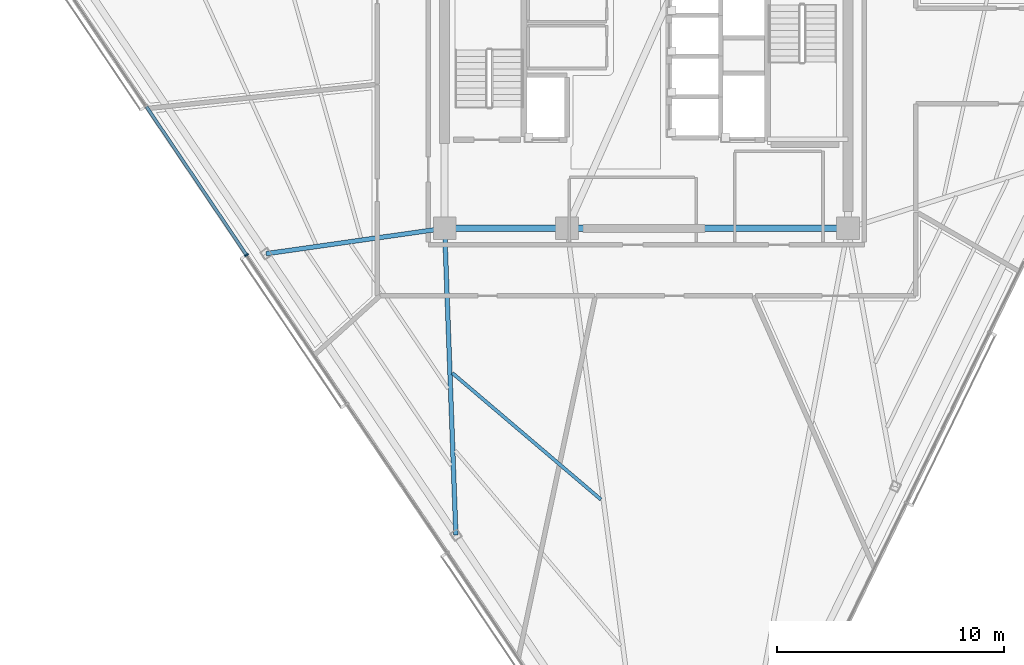
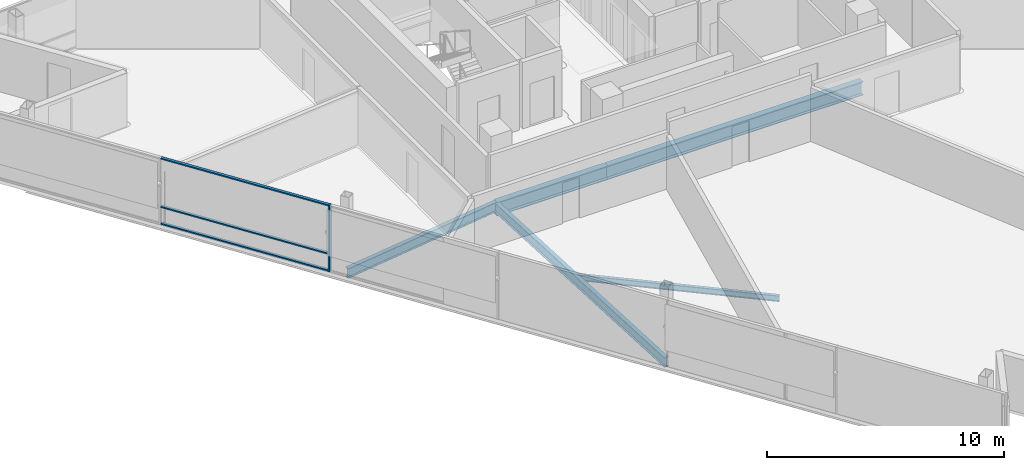
# One storey, part 3 of 16: 5 beams, 4 members, 1 element without a shape of its own.
"""IFC4 building model written with IfcOpenShell, lengths in metres."""

from ifc_helpers import new_model, si_unit, direction, frame, origin, origin_2d, place, context, subcontext, project, spatial, rectangle, i_section, extrude, material, layer, layer_set, material_profile, profile_set, type_object, element, aggregate, save


model = new_model("IFC4")

# Units and contexts
model_context = context("Model", 3, precision=1e-05, world=origin(), true_north=direction((0.0, 1.0)))
body_context = subcontext(model_context, "Body", "Model", "MODEL_VIEW")
ifc_project = project(units=[si_unit("LENGTHUNIT", "METRE"), si_unit("AREAUNIT", "SQUARE_METRE"), si_unit("VOLUMEUNIT", "CUBIC_METRE"), si_unit("PLANEANGLEUNIT", "RADIAN"), si_unit("MASSUNIT", "GRAM", prefix="KILO")], contexts=[model_context])

# Site, building, storey
site_placement = place(None, origin())
site = spatial("IfcSite", under=ifc_project, at=site_placement, CompositionType="ELEMENT")
building_placement = place(site_placement, origin())
building = spatial("IfcBuilding", under=site, at=building_placement, Name="Tharavind Bronze Gate", CompositionType="ELEMENT")
storey_placement = place(building_placement, frame((0.0, 0.0, 260.60009765625)))
storey = spatial("IfcBuildingStorey", under=building, at=storey_placement, Name="L67", CompositionType="ELEMENT", Elevation=260.60009765625)

# Curtain wall, members
ifc_material_1 = material(Name="Anodised Bronze Aluminium", Category="aluminium")
ifc_layer = layer(ifc_material_1, 0.219970703125)
ifc_layer_set = layer_set([ifc_layer], Name="Anodised Bronze Aluminium")
curtain_wall_type = type_object("IfcCurtainWallType", Name="UNITISED CURTAIN WALL UPPER OFFICE", PredefinedType="USERDEFINED", material=ifc_layer_set)
curtain_wall_placement = place(storey_placement, origin())
curtain_wall = element("IfcCurtainWall", 1, at=curtain_wall_placement, inside=storey, type_object=curtain_wall_type, Name="L67 unitised curtain wall upper office CW-L67-S1", ObjectType="UNITISED CURTAIN WALL", PredefinedType="USERDEFINED")
member_type_1 = type_object("IfcMemberType", Name="CURTAIN WALL BRONZE MULLION 65X180", PredefinedType="MULLION", material=ifc_material_1)
member_1_placement = place(storey_placement, frame((-17.639892578125, -8.7802734375, 0.0), z_axis=(0.0, 0.0, 1.0), x_axis=(0.559191456526, -0.82903854853, 0.0)))
member_1 = element("IfcMember", 2, at=member_1_placement, type_object=member_type_1, Name="CW-L67-S1 mullion 3", PredefinedType="MULLION", context=body_context, shape_type="SweptSolid", body=[
    extrude(rectangle(XDim=0.06494140625, YDim=0.179931640625, at=origin_2d()), origin(), (0.0, 0.0, 1.0), 3.419921875),
])
member_type_2 = type_object("IfcMemberType", Name="CURTAIN WALL BRONZE TRANSOM 65X140", PredefinedType="USERDEFINED", material=ifc_material_1)
member_2_placement = place(storey_placement, frame((-19.8544921875, -5.497314453125, 0.0), z_axis=(0.0, 0.0, 1.0), x_axis=(0.559191456526, -0.82903854853, 0.0)))
member_2 = element("IfcMember", 3, at=member_2_placement, type_object=member_type_2, Name="CW-L67-S1 transom TB2", ObjectType="TRANSOM", PredefinedType="USERDEFINED", context=body_context, shape_type="SweptSolid", body=[
    extrude(rectangle(XDim=7.8671875, YDim=0.139892578125, at=origin_2d()), origin(), (0.0, 0.0, 1.0), 0.06494140625),
])
member_3_placement = place(storey_placement, frame((-19.8544921875, -5.497314453125, 0.867431640625), z_axis=(0.0, 0.0, 1.0), x_axis=(0.559191456526, -0.82903854853, 0.0)))
member_3 = element("IfcMember", 4, at=member_3_placement, type_object=member_type_2, Name="CW-L67-S1 transom TS2", ObjectType="TRANSOM", PredefinedType="USERDEFINED", context=body_context, shape_type="SweptSolid", body=[
    extrude(rectangle(XDim=7.8671875, YDim=0.139892578125, at=origin_2d()), origin(), (0.0, 0.0, 1.0), 0.06494140625),
])
member_4_placement = place(storey_placement, frame((-19.8544921875, -5.497314453125, 3.35498046875), z_axis=(0.0, 0.0, 1.0), x_axis=(0.559191456526, -0.82903854853, 0.0)))
member_4 = element("IfcMember", 5, at=member_4_placement, type_object=member_type_2, Name="CW-L67-S1 transom TT2", ObjectType="TRANSOM", PredefinedType="USERDEFINED", context=body_context, shape_type="SweptSolid", body=[
    extrude(rectangle(XDim=7.8671875, YDim=0.139892578125, at=origin_2d()), origin(), (0.0, 0.0, 1.0), 0.06494140625),
])
aggregate(curtain_wall, [member_1, member_2, member_3, member_4])

# Beams
ifc_material_2 = material(Name="Steel S355", Category="steel")
ifc_material_profile_1 = material_profile(ifc_material_2, i_section(OverallWidth=0.199951171875, OverallDepth=0.5, WebThickness=0.01025390625, FlangeThickness=0.01611328125, at=origin_2d()), Name="IPE500")
ifc_profile_set_1 = profile_set([ifc_material_profile_1], Name="Steel S355")
beam_type_1 = type_object("IfcBeamType", Name="PRIMARY GIRDER IPE500", PredefinedType="USERDEFINED", material=ifc_profile_set_1)
beam_1_placement = place(storey_placement, frame((-16.776123046875, -8.719970703125, -0.43017578125), z_axis=(0.99004257138, 0.14076827361, 0.0), x_axis=(-0.14076827361, 0.99004257138, 0.0)))
element("IfcBeam", 6, at=beam_1_placement, inside=storey, type_object=beam_type_1, Name="L67 primary girder ipe500 BM-L67-RAD02", ObjectType="GIRDER", PredefinedType="USERDEFINED", context=body_context, shape_type="SweptSolid", body=[
    extrude(i_section(OverallWidth=0.199951171875, OverallDepth=0.5, WebThickness=0.01025390625, FlangeThickness=0.01611328125, at=origin_2d()), origin(), (0.0, 0.0, 1.0), 7.955322265625),
])
beam_2_placement = place(storey_placement, frame((-8.40234375, -21.134521484375, -0.43017578125), z_axis=(-0.036737634404, 0.99932494526, 0.0), x_axis=(-0.99932494526, -0.036737634404, 0.0)))
element("IfcBeam", 7, at=beam_2_placement, inside=storey, type_object=beam_type_1, Name="L67 primary girder ipe500 BM-L67-RAD03", ObjectType="GIRDER", PredefinedType="USERDEFINED", context=body_context, shape_type="SweptSolid", body=[
    extrude(i_section(OverallWidth=0.199951171875, OverallDepth=0.5, WebThickness=0.01025390625, FlangeThickness=0.01611328125, at=origin_2d()), origin(), (0.0, 0.0, 1.0), 13.54345703125),
])
ifc_material_profile_2 = material_profile(ifc_material_2, i_section(OverallWidth=0.300048828125, OverallDepth=0.699951171875, WebThickness=0.01708984375, FlangeThickness=0.031982421875, at=origin_2d()), Name="HE700B")
ifc_profile_set_2 = profile_set([ifc_material_profile_2], Name="Steel S355")
beam_type_2 = type_object("IfcBeamType", Name="RING GIRDER HE700B", PredefinedType="USERDEFINED", material=ifc_profile_set_2)
beam_3_placement = place(storey_placement, frame((-8.89990234375, -7.60009765625, -0.530029296875), z_axis=(1.0, 0.0, 0.0), x_axis=(0.0, 1.0, 0.0)))
element("IfcBeam", 8, at=beam_3_placement, inside=storey, type_object=beam_type_2, Name="L67 ring girder he700b BM-L67-CR1", ObjectType="GIRDER", PredefinedType="USERDEFINED", context=body_context, shape_type="SweptSolid", body=[
    extrude(i_section(OverallWidth=0.300048828125, OverallDepth=0.699951171875, WebThickness=0.01708984375, FlangeThickness=0.031982421875, at=origin_2d()), origin(), (0.0, 0.0, 1.0), 5.39990234375),
])
beam_4_placement = place(storey_placement, frame((-3.5, -7.60009765625, -0.530029296875), z_axis=(1.0, 0.0, 0.0), x_axis=(0.0, 1.0, 0.0)))
element("IfcBeam", 9, at=beam_4_placement, inside=storey, type_object=beam_type_2, Name="L67 ring girder he700b BM-L67-CR2", ObjectType="GIRDER", PredefinedType="USERDEFINED", context=body_context, shape_type="SweptSolid", body=[
    extrude(i_section(OverallWidth=0.300048828125, OverallDepth=0.699951171875, WebThickness=0.01708984375, FlangeThickness=0.031982421875, at=origin_2d()), origin(), (0.0, 0.0, 1.0), 12.39990234375),
])
ifc_material_profile_3 = material_profile(ifc_material_2, i_section(OverallWidth=0.14990234375, OverallDepth=0.300048828125, WebThickness=0.007080078125, FlangeThickness=0.0107421875, at=origin_2d()), Name="IPE300")
ifc_profile_set_3 = profile_set([ifc_material_profile_3], Name="Steel S355")
beam_type_3 = type_object("IfcBeamType", Name="SECONDARY FLOOR JOIST IPE300", PredefinedType="JOIST", material=ifc_profile_set_3)
beam_5_placement = place(storey_placement, frame((-8.562255859375, -13.98388671875, -0.330078125), z_axis=(0.761516768495, -0.648145208499, 0.0), x_axis=(0.648145208499, 0.761516768495, 0.0)))
element("IfcBeam", 10, at=beam_5_placement, inside=storey, type_object=beam_type_3, Name="L67 secondary floor joist ipe300 BM-L67-JSTA03", PredefinedType="JOIST", context=body_context, shape_type="SweptSolid", body=[
    extrude(i_section(OverallWidth=0.14990234375, OverallDepth=0.300048828125, WebThickness=0.007080078125, FlangeThickness=0.0107421875, at=origin_2d()), origin(), (0.0, 0.0, 1.0), 8.61376953125),
])

save(model, "model.ifc")
